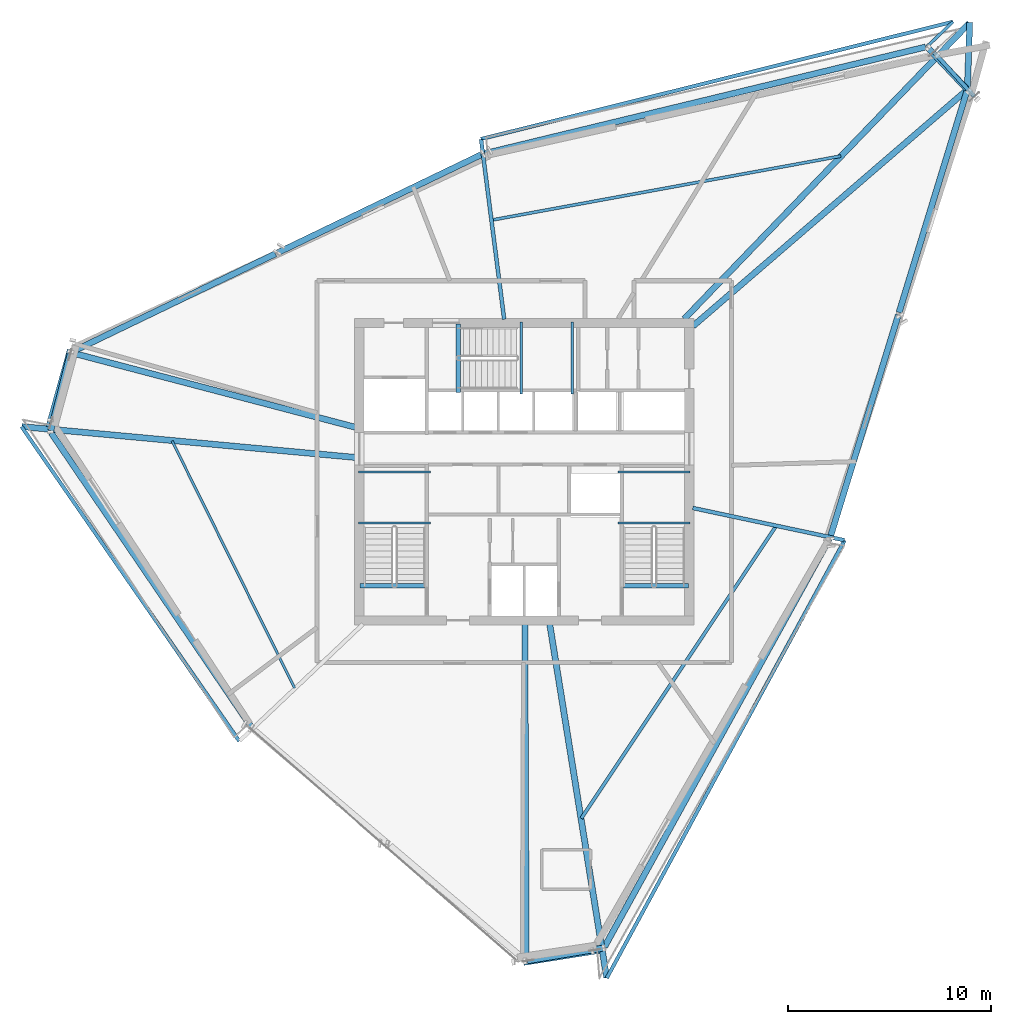
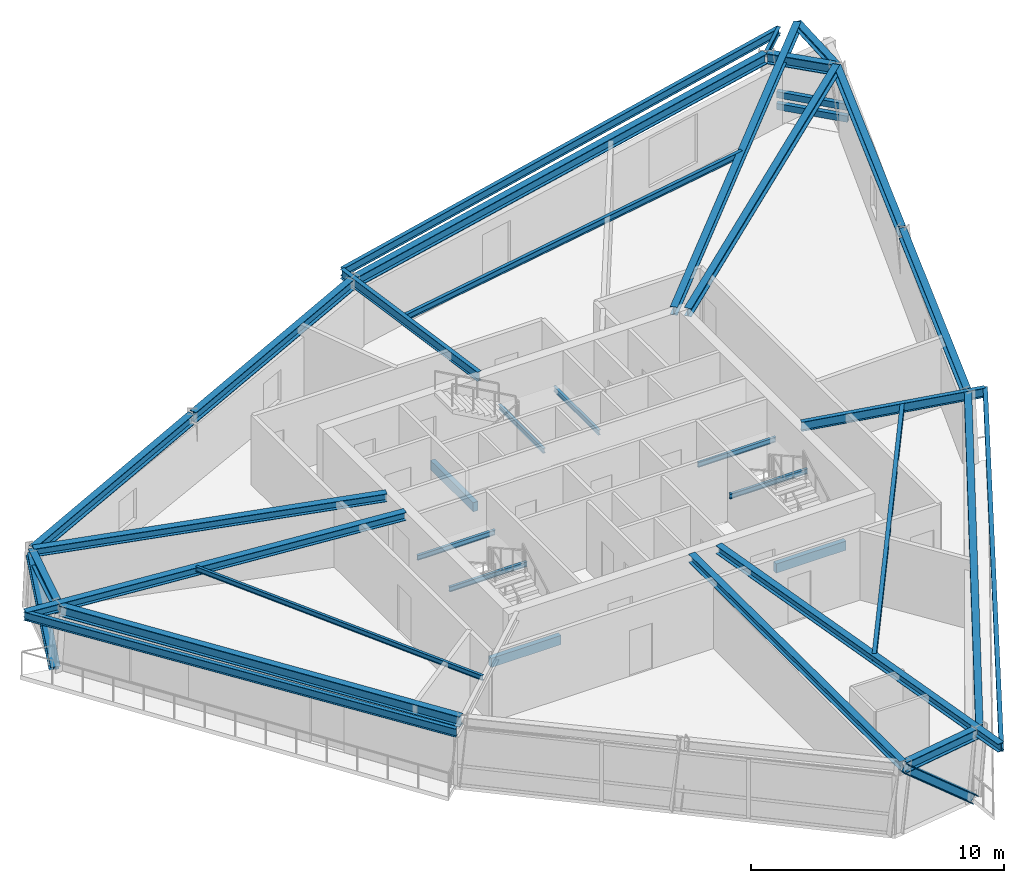
# One storey, part 4 of 13: 35 beams, 4 members.
"""IFC4 building model written with IfcOpenShell, lengths in metres."""

from ifc_helpers import new_model, si_unit, direction, frame, origin, origin_2d, place, context, subcontext, project, spatial, rectangle, hollow_rectangle, i_section, extrude, source, transform, mapped, material, material_profile, profile_set, type_object, element, save


model = new_model("IFC4")

# Units and contexts
model_context = context("Model", 3, precision=1e-05, world=origin(), true_north=direction((0.0, 1.0)))
body_context = subcontext(model_context, "Body", "Model", "MODEL_VIEW")
ifc_project = project(units=[si_unit("LENGTHUNIT", "METRE"), si_unit("AREAUNIT", "SQUARE_METRE"), si_unit("VOLUMEUNIT", "CUBIC_METRE"), si_unit("PLANEANGLEUNIT", "RADIAN"), si_unit("MASSUNIT", "GRAM", prefix="KILO")], contexts=[model_context])

# Site, building, storey
site_placement = place(None, origin())
site = spatial("IfcSite", under=ifc_project, at=site_placement, CompositionType="ELEMENT")
building_placement = place(site_placement, origin())
building = spatial("IfcBuilding", under=site, at=building_placement, Name="Olszyna Solenne Hotel", CompositionType="ELEMENT")
storey_placement = place(building_placement, frame((0.0, 0.0, 209.60009765625)))
storey = spatial("IfcBuildingStorey", under=building, at=storey_placement, Name="L55", CompositionType="ELEMENT", Elevation=209.60009765625)

# Beams
ifc_material_1 = material(Name="Steel S355J2", Category="steel")
ifc_material_profile_1 = material_profile(ifc_material_1, i_section(OverallWidth=0.300048828125, OverallDepth=0.5, WebThickness=0.014404296875, FlangeThickness=0.028076171875, at=origin_2d()), Name="HEB 500", Category="load-bearing")
ifc_profile_set_1 = profile_set([ifc_material_profile_1], Name="Steel S355J2")
beam_type_1 = type_object("IfcBeamType", Name="BM-S3", PredefinedType="BEAM", material=ifc_profile_set_1)
shared_shape_1 = source(origin(), body_context, "Body", "SweptSolid", [
    extrude(i_section(OverallWidth=0.300048828125, OverallDepth=0.5, WebThickness=0.014404296875, FlangeThickness=0.028076171875, at=origin_2d()), origin(), (0.0, 0.0, 1.0), 2.787841796875),
])
beam_1_placement = place(storey_placement, frame((59.779541015625, 45.451904296875, 3.079833984375), z_axis=(-0.686497518046, 0.72713214598, 0.0), x_axis=(-0.72713214598, -0.686497518046, 0.0)))
element("IfcBeam", 1, at=beam_1_placement, inside=storey, type_object=beam_type_1, Name="Perimeter spandrel beam BM-S3 B-L55-1621", PredefinedType="BEAM", context=body_context, shape_type="MappedRepresentation", body=[
    mapped(shared_shape_1, transform((0.0, 0.0, 0.0), x_axis=(1.0, 0.0, 0.0), y_axis=(0.0, 1.0, 0.0), z_axis=(0.0, 0.0, 1.0), scale=1.0)),
])
shared_shape_2 = source(origin(), body_context, "Body", "SweptSolid", [
    extrude(i_section(OverallWidth=0.300048828125, OverallDepth=0.5, WebThickness=0.014404296875, FlangeThickness=0.028076171875, at=origin_2d()), origin(), (0.0, 0.0, 1.0), 22.39111328125),
])
beam_2_placement = place(storey_placement, frame((57.76611328125, 47.508544921875, 3.079833984375), z_axis=(-0.972018712625, -0.234903431875, 0.0), x_axis=(0.234903431875, -0.972018712625, 0.0)))
element("IfcBeam", 2, at=beam_2_placement, inside=storey, type_object=beam_type_1, Name="Perimeter spandrel beam BM-S3 B-L55-1622", PredefinedType="BEAM", context=body_context, shape_type="MappedRepresentation", body=[
    mapped(shared_shape_2, transform((0.0, 0.0, 0.0), x_axis=(1.0, 0.0, 0.0), y_axis=(0.0, 1.0, 0.0), z_axis=(0.0, 0.0, 1.0), scale=1.0)),
])
shared_shape_3 = source(origin(), body_context, "Body", "SweptSolid", [
    extrude(i_section(OverallWidth=0.300048828125, OverallDepth=0.5, WebThickness=0.014404296875, FlangeThickness=0.028076171875, at=origin_2d()), origin(), (0.0, 0.0, 1.0), 11.135498046875),
])
for number, where, z_axis, x_axis, name in (
    (3, (35.88916015625, 42.208740234375, 3.079833984375), (-0.900916274217, -0.433992934102, 0.0), (0.433992934102, -0.900916274217, 0.0), "Perimeter spandrel beam BM-S3 B-L55-1623"),
    (4, (25.748779296875, 37.323974609375, 3.079833984375), (-0.90090357201, -0.434019301344, 0.0), (0.434019301344, -0.90090357201, 0.0), "Perimeter spandrel beam BM-S3 B-L55-1624"),
):
    element("IfcBeam", number, at=place(storey_placement, frame(where, z_axis=z_axis, x_axis=x_axis)), inside=storey, type_object=beam_type_1, Name=name, PredefinedType="BEAM", context=body_context, shape_type="MappedRepresentation", body=[
        mapped(shared_shape_3, transform((0.0, 0.0, 0.0), x_axis=(1.0, 0.0, 0.0), y_axis=(0.0, 1.0, 0.0), z_axis=(0.0, 0.0, 1.0), scale=1.0)),
    ])
shared_shape_4 = source(origin(), body_context, "Body", "SweptSolid", [
    extrude(i_section(OverallWidth=0.300048828125, OverallDepth=0.5, WebThickness=0.014404296875, FlangeThickness=0.028076171875, at=origin_2d()), origin(), (0.0, 0.0, 1.0), 3.909912109375),
])
beam_3_placement = place(storey_placement, frame((15.64794921875, 32.40673828125, 3.079833984375), z_axis=(-0.24526736501, -0.969455475853, 0.0), x_axis=(0.969455475853, -0.24526736501, 0.0)))
element("IfcBeam", 5, at=beam_3_placement, inside=storey, type_object=beam_type_1, Name="Perimeter spandrel beam BM-S3 B-L55-1625", PredefinedType="BEAM", context=body_context, shape_type="MappedRepresentation", body=[
    mapped(shared_shape_4, transform((0.0, 0.0, 0.0), x_axis=(1.0, 0.0, 0.0), y_axis=(0.0, 1.0, 0.0), z_axis=(0.0, 0.0, 1.0), scale=1.0)),
])
shared_shape_5 = source(origin(), body_context, "Body", "SweptSolid", [
    extrude(i_section(OverallWidth=0.300048828125, OverallDepth=0.5, WebThickness=0.014404296875, FlangeThickness=0.028076171875, at=origin_2d()), origin(), (0.0, 0.0, 1.0), 17.55810546875),
])
beam_4_placement = place(storey_placement, frame((14.7080078125, 28.508544921875, 3.079833984375), z_axis=(0.56230735912, -0.826928312419, 0.0), x_axis=(0.826928312419, 0.56230735912, 0.0)))
element("IfcBeam", 6, at=beam_4_placement, inside=storey, type_object=beam_type_1, Name="Perimeter spandrel beam BM-S3 B-L55-1626", PredefinedType="BEAM", context=body_context, shape_type="MappedRepresentation", body=[
    mapped(shared_shape_5, transform((0.0, 0.0, 0.0), x_axis=(1.0, 0.0, 0.0), y_axis=(0.0, 1.0, 0.0), z_axis=(0.0, 0.0, 1.0), scale=1.0)),
])
shared_shape_6 = source(origin(), body_context, "Body", "SweptSolid", [
    extrude(i_section(OverallWidth=0.300048828125, OverallDepth=0.5, WebThickness=0.014404296875, FlangeThickness=0.028076171875, at=origin_2d()), origin(), (0.0, 0.0, 1.0), 3.761962890625),
])
beam_5_placement = place(storey_placement, frame((38.15380859375, 2.512451171875, 3.079833984375), z_axis=(0.986277920218, 0.165093501055, 0.0), x_axis=(-0.165093501055, 0.986277920218, 0.0)))
element("IfcBeam", 7, at=beam_5_placement, inside=storey, type_object=beam_type_1, Name="Perimeter spandrel beam BM-S3 B-L55-1629", PredefinedType="BEAM", context=body_context, shape_type="MappedRepresentation", body=[
    mapped(shared_shape_6, transform((0.0, 0.0, 0.0), x_axis=(1.0, 0.0, 0.0), y_axis=(0.0, 1.0, 0.0), z_axis=(0.0, 0.0, 1.0), scale=1.0)),
])
shared_shape_7 = source(origin(), body_context, "Body", "SweptSolid", [
    extrude(i_section(OverallWidth=0.300048828125, OverallDepth=0.5, WebThickness=0.014404296875, FlangeThickness=0.028076171875, at=origin_2d()), origin(), (0.0, 0.0, 1.0), 22.9521484375),
])
beam_6_placement = place(storey_placement, frame((41.952392578125, 3.19580078125, 3.079833984375), z_axis=(0.482821715589, 0.875718671124, 0.0), x_axis=(-0.875718671124, 0.482821715589, 0.0)))
element("IfcBeam", 8, at=beam_6_placement, inside=storey, type_object=beam_type_1, Name="Perimeter spandrel beam BM-S3 B-L55-1630", PredefinedType="BEAM", context=body_context, shape_type="MappedRepresentation", body=[
    mapped(shared_shape_7, transform((0.0, 0.0, 0.0), x_axis=(1.0, 0.0, 0.0), y_axis=(0.0, 1.0, 0.0), z_axis=(0.0, 0.0, 1.0), scale=1.0)),
])
shared_shape_8 = source(origin(), body_context, "Body", "SweptSolid", [
    extrude(i_section(OverallWidth=0.300048828125, OverallDepth=0.5, WebThickness=0.014404296875, FlangeThickness=0.028076171875, at=origin_2d()), origin(), (0.0, 0.0, 1.0), 11.416015625),
])
beam_7_placement = place(storey_placement, frame((53.080810546875, 23.4052734375, 3.079833984375), z_axis=(0.292875881532, 0.956150468293, 0.0), x_axis=(-0.956150468293, 0.292875881532, 0.0)))
element("IfcBeam", 9, at=beam_7_placement, inside=storey, type_object=beam_type_1, Name="Perimeter spandrel beam BM-S3 B-L55-1631", PredefinedType="BEAM", context=body_context, shape_type="MappedRepresentation", body=[
    mapped(shared_shape_8, transform((0.0, 0.0, 0.0), x_axis=(1.0, 0.0, 0.0), y_axis=(0.0, 1.0, 0.0), z_axis=(0.0, 0.0, 1.0), scale=1.0)),
])
shared_shape_9 = source(origin(), body_context, "Body", "SweptSolid", [
    extrude(i_section(OverallWidth=0.300048828125, OverallDepth=0.5, WebThickness=0.014404296875, FlangeThickness=0.028076171875, at=origin_2d()), origin(), (0.0, 0.0, 1.0), 11.415771484375),
])
beam_8_placement = place(storey_placement, frame((56.459716796875, 34.435546875, 3.079833984375), z_axis=(0.292862318595, 0.956154622614, 0.0), x_axis=(-0.956154622614, 0.292862318595, 0.0)))
element("IfcBeam", 10, at=beam_8_placement, inside=storey, type_object=beam_type_1, Name="Perimeter spandrel beam BM-S3 B-L55-1632", PredefinedType="BEAM", context=body_context, shape_type="MappedRepresentation", body=[
    mapped(shared_shape_9, transform((0.0, 0.0, 0.0), x_axis=(1.0, 0.0, 0.0), y_axis=(0.0, 1.0, 0.0), z_axis=(0.0, 0.0, 1.0), scale=1.0)),
])
ifc_material_profile_2 = material_profile(ifc_material_1, i_section(OverallWidth=0.300048828125, OverallDepth=0.389892578125, WebThickness=0.010986328125, FlangeThickness=0.01904296875, at=origin_2d()), Name="HEA 400", Category="load-bearing")
ifc_profile_set_2 = profile_set([ifc_material_profile_2], Name="Steel S355J2")
beam_type_2 = type_object("IfcBeamType", Name="BM-G2", PredefinedType="BEAM", material=ifc_profile_set_2)
shared_shape_10 = source(origin(), body_context, "Body", "SweptSolid", [
    extrude(i_section(OverallWidth=0.300048828125, OverallDepth=0.389892578125, WebThickness=0.010986328125, FlangeThickness=0.01904296875, at=origin_2d()), origin(), (0.0, 0.0, 1.0), 17.774169921875),
])
beam_9_placement = place(storey_placement, frame((59.775390625, 45.368896484375, 3.135009765625), z_axis=(-0.757468752186, -0.652871418782, 0.0), x_axis=(0.652871418782, -0.757468752186, 0.0)))
element("IfcBeam", 11, at=beam_9_placement, inside=storey, type_object=beam_type_2, Name="Radial floor girder BM-G2 B-L55-1633", PredefinedType="BEAM", context=body_context, shape_type="MappedRepresentation", body=[
    mapped(shared_shape_10, transform((0.0, 0.0, 0.0), x_axis=(1.0, 0.0, 0.0), y_axis=(0.0, 1.0, 0.0), z_axis=(0.0, 0.0, 1.0), scale=1.0)),
])
shared_shape_11 = source(origin(), body_context, "Body", "SweptSolid", [
    extrude(i_section(OverallWidth=0.300048828125, OverallDepth=0.389892578125, WebThickness=0.010986328125, FlangeThickness=0.01904296875, at=origin_2d()), origin(), (0.0, 0.0, 1.0), 20.24365234375),
])
beam_10_placement = place(storey_placement, frame((59.923095703125, 48.694091796875, 3.135009765625), z_axis=(-0.693814559246, -0.720153703995, 0.0), x_axis=(0.720153703995, -0.693814559246, 0.0)))
element("IfcBeam", 12, at=beam_10_placement, inside=storey, type_object=beam_type_2, Name="Radial floor girder BM-G2 B-L55-1634", PredefinedType="BEAM", context=body_context, shape_type="MappedRepresentation", body=[
    mapped(shared_shape_11, transform((0.0, 0.0, 0.0), x_axis=(1.0, 0.0, 0.0), y_axis=(0.0, 1.0, 0.0), z_axis=(0.0, 0.0, 1.0), scale=1.0)),
])
ifc_material_profile_3 = material_profile(ifc_material_1, i_section(OverallWidth=0.18994140625, OverallDepth=0.449951171875, WebThickness=0.009521484375, FlangeThickness=0.0146484375, at=origin_2d()), Name="IPE 450", Category="load-bearing")
ifc_profile_set_3 = profile_set([ifc_material_profile_3], Name="Steel S355J2")
beam_type_3 = type_object("IfcBeamType", Name="BM-F4", PredefinedType="BEAM", material=ifc_profile_set_3)
shared_shape_12 = source(origin(), body_context, "Body", "SweptSolid", [
    extrude(i_section(OverallWidth=0.18994140625, OverallDepth=0.449951171875, WebThickness=0.009521484375, FlangeThickness=0.0146484375, at=origin_2d()), origin(), (0.0, 0.0, 1.0), 8.9306640625),
])
beam_11_placement = place(storey_placement, frame((35.8759765625, 42.958251953125, 3.10498046875), z_axis=(0.127338099934, -0.991859369218, 0.0), x_axis=(0.991859369218, 0.127338099934, 0.0)))
element("IfcBeam", 13, at=beam_11_placement, inside=storey, type_object=beam_type_3, Name="Radial floor girder BM-F4 B-L55-1635", PredefinedType="BEAM", context=body_context, shape_type="MappedRepresentation", body=[
    mapped(shared_shape_12, transform((0.0, 0.0, 0.0), x_axis=(1.0, 0.0, 0.0), y_axis=(0.0, 1.0, 0.0), z_axis=(0.0, 0.0, 1.0), scale=1.0)),
])
shared_shape_13 = source(origin(), body_context, "Body", "SweptSolid", [
    extrude(i_section(OverallWidth=0.300048828125, OverallDepth=0.389892578125, WebThickness=0.010986328125, FlangeThickness=0.01904296875, at=origin_2d()), origin(), (0.0, 0.0, 1.0), 14.451416015625),
])
beam_12_placement = place(storey_placement, frame((15.720703125, 32.44970703125, 3.135009765625), z_axis=(0.967218154924, -0.253946925136, 0.0), x_axis=(0.253946925136, 0.967218154924, 0.0)))
element("IfcBeam", 14, at=beam_12_placement, inside=storey, type_object=beam_type_2, Name="Radial floor girder BM-G2 B-L55-1636", PredefinedType="BEAM", context=body_context, shape_type="MappedRepresentation", body=[
    mapped(shared_shape_13, transform((0.0, 0.0, 0.0), x_axis=(1.0, 0.0, 0.0), y_axis=(0.0, 1.0, 0.0), z_axis=(0.0, 0.0, 1.0), scale=1.0)),
])
shared_shape_14 = source(origin(), body_context, "Body", "SweptSolid", [
    extrude(i_section(OverallWidth=0.300048828125, OverallDepth=0.389892578125, WebThickness=0.010986328125, FlangeThickness=0.01904296875, at=origin_2d()), origin(), (0.0, 0.0, 1.0), 16.504150390625),
])
beam_13_placement = place(storey_placement, frame((13.265380859375, 28.814208984375, 3.135009765625), z_axis=(0.995764908302, -0.091936104956, 0.0), x_axis=(0.091936104956, 0.995764908302, 0.0)))
element("IfcBeam", 15, at=beam_13_placement, inside=storey, type_object=beam_type_2, Name="Radial floor girder BM-G2 B-L55-1637", PredefinedType="BEAM", context=body_context, shape_type="MappedRepresentation", body=[
    mapped(shared_shape_14, transform((0.0, 0.0, 0.0), x_axis=(1.0, 0.0, 0.0), y_axis=(0.0, 1.0, 0.0), z_axis=(0.0, 0.0, 1.0), scale=1.0)),
])
shared_shape_15 = source(origin(), body_context, "Body", "SweptSolid", [
    extrude(i_section(OverallWidth=0.300048828125, OverallDepth=0.389892578125, WebThickness=0.010986328125, FlangeThickness=0.01904296875, at=origin_2d()), origin(), (0.0, 0.0, 1.0), 16.537841796875),
])
beam_14_placement = place(storey_placement, frame((38.094482421875, 2.5625, 3.135009765625), z_axis=(-0.003941626943, 0.999992231758, 0.0), x_axis=(-0.999992231758, -0.003941626943, 0.0)))
element("IfcBeam", 16, at=beam_14_placement, inside=storey, type_object=beam_type_2, Name="Radial floor girder BM-G2 B-L55-1639", PredefinedType="BEAM", context=body_context, shape_type="MappedRepresentation", body=[
    mapped(shared_shape_15, transform((0.0, 0.0, 0.0), x_axis=(1.0, 0.0, 0.0), y_axis=(0.0, 1.0, 0.0), z_axis=(0.0, 0.0, 1.0), scale=1.0)),
])
shared_shape_16 = source(origin(), body_context, "Body", "SweptSolid", [
    extrude(i_section(OverallWidth=0.300048828125, OverallDepth=0.389892578125, WebThickness=0.010986328125, FlangeThickness=0.01904296875, at=origin_2d()), origin(), (0.0, 0.0, 1.0), 17.647216796875),
])
beam_15_placement = place(storey_placement, frame((42.059814453125, 1.676513671875, 3.135009765625), z_axis=(-0.158958408562, 0.987285280123, 0.0), x_axis=(-0.987285280123, -0.158958408562, 0.0)))
element("IfcBeam", 17, at=beam_15_placement, inside=storey, type_object=beam_type_2, Name="Radial floor girder BM-G2 B-L55-1640", PredefinedType="BEAM", context=body_context, shape_type="MappedRepresentation", body=[
    mapped(shared_shape_16, transform((0.0, 0.0, 0.0), x_axis=(1.0, 0.0, 0.0), y_axis=(0.0, 1.0, 0.0), z_axis=(0.0, 0.0, 1.0), scale=1.0)),
])
shared_shape_17 = source(origin(), body_context, "Body", "SweptSolid", [
    extrude(i_section(OverallWidth=0.18994140625, OverallDepth=0.449951171875, WebThickness=0.009521484375, FlangeThickness=0.0146484375, at=origin_2d()), origin(), (0.0, 0.0, 1.0), 7.62353515625),
])
beam_16_placement = place(storey_placement, frame((53.758056640625, 23.22314453125, 3.10498046875), z_axis=(-0.978156246367, 0.207871012152, 0.0), x_axis=(-0.207871012152, -0.978156246367, 0.0)))
element("IfcBeam", 18, at=beam_16_placement, inside=storey, type_object=beam_type_3, Name="Radial floor girder BM-F4 B-L55-1641", PredefinedType="BEAM", context=body_context, shape_type="MappedRepresentation", body=[
    mapped(shared_shape_17, transform((0.0, 0.0, 0.0), x_axis=(1.0, 0.0, 0.0), y_axis=(0.0, 1.0, 0.0), z_axis=(0.0, 0.0, 1.0), scale=1.0)),
])
ifc_material_profile_4 = material_profile(ifc_material_1, i_section(OverallWidth=0.300048828125, OverallDepth=0.31005859375, WebThickness=0.009033203125, FlangeThickness=0.015380859375, at=origin_2d()), Name="HEA 320", Category="load-bearing")
ifc_profile_set_4 = profile_set([ifc_material_profile_4], Name="Steel S355J2")
beam_type_4 = type_object("IfcBeamType", Name="BM-G3", PredefinedType="BEAM", material=ifc_profile_set_4)
shared_shape_18 = source(origin(), body_context, "Body", "SweptSolid", [
    extrude(i_section(OverallWidth=0.300048828125, OverallDepth=0.31005859375, WebThickness=0.009033203125, FlangeThickness=0.015380859375, at=origin_2d()), origin(), (0.0, 0.0, 1.0), 3.30224609375),
])
beam_17_placement = place(storey_placement, frame((59.82080078125, 45.408203125, 3.1748046875), z_axis=(0.035190499803, 0.999380622548, 0.0), x_axis=(-0.999380622548, 0.035190499803, 0.0)))
element("IfcBeam", 19, at=beam_17_placement, inside=storey, type_object=beam_type_4, Name="Prism side edge beam BM-G3 B-L55-1642", PredefinedType="BEAM", context=body_context, shape_type="MappedRepresentation", body=[
    mapped(shared_shape_18, transform((0.0, 0.0, 0.0), x_axis=(1.0, 0.0, 0.0), y_axis=(0.0, 1.0, 0.0), z_axis=(0.0, 0.0, 1.0), scale=1.0)),
])
ifc_material_profile_5 = material_profile(ifc_material_1, i_section(OverallWidth=0.14990234375, OverallDepth=0.300048828125, WebThickness=0.007080078125, FlangeThickness=0.0107421875, at=origin_2d()), Name="IPE 300", Category="load-bearing")
ifc_profile_set_5 = profile_set([ifc_material_profile_5], Name="Steel S355J2")
beam_type_5 = type_object("IfcBeamType", Name="JS-02", PredefinedType="JOIST", material=ifc_profile_set_5)
shared_shape_19 = source(origin(), body_context, "Body", "SweptSolid", [
    extrude(i_section(OverallWidth=0.14990234375, OverallDepth=0.300048828125, WebThickness=0.007080078125, FlangeThickness=0.0107421875, at=origin_2d()), origin(), (0.0, 0.0, 1.0), 17.47119140625),
])
beam_18_placement = place(storey_placement, frame((53.590576171875, 42.137939453125, 3.179931640625), z_axis=(-0.983600277692, -0.180362118318, 0.0), x_axis=(0.180362118318, -0.983600277692, 0.0)))
element("IfcBeam", 20, at=beam_18_placement, inside=storey, type_object=beam_type_5, Name="Secondary composite floor joist JS-02 B-L55-1643", PredefinedType="JOIST", context=body_context, shape_type="MappedRepresentation", body=[
    mapped(shared_shape_19, transform((0.0, 0.0, 0.0), x_axis=(1.0, 0.0, 0.0), y_axis=(0.0, 1.0, 0.0), z_axis=(0.0, 0.0, 1.0), scale=1.0)),
])
ifc_material_profile_6 = material_profile(ifc_material_1, i_section(OverallWidth=0.1201171875, OverallDepth=0.239990234375, WebThickness=0.006103515625, FlangeThickness=0.009765625, at=origin_2d()), Name="IPE 240", Category="load-bearing")
ifc_profile_set_6 = profile_set([ifc_material_profile_6], Name="Steel S355J2")
beam_type_6 = type_object("IfcBeamType", Name="JS-03", PredefinedType="JOIST", material=ifc_profile_set_6)
shared_shape_20 = source(origin(), body_context, "Body", "SweptSolid", [
    extrude(i_section(OverallWidth=0.1201171875, OverallDepth=0.239990234375, WebThickness=0.006103515625, FlangeThickness=0.009765625, at=origin_2d()), origin(), (0.0, 0.0, 1.0), 13.59521484375),
])
beam_19_placement = place(storey_placement, frame((20.65869140625, 28.114501953125, 3.2099609375), z_axis=(0.444294865381, -0.895880612915, 0.0), x_axis=(0.895880612915, 0.444294865381, 0.0)))
element("IfcBeam", 21, at=beam_19_placement, inside=storey, type_object=beam_type_6, Name="Secondary composite floor joist JS-03 B-L55-1644", PredefinedType="JOIST", context=body_context, shape_type="MappedRepresentation", body=[
    mapped(shared_shape_20, transform((0.0, 0.0, 0.0), x_axis=(1.0, 0.0, 0.0), y_axis=(0.0, 1.0, 0.0), z_axis=(0.0, 0.0, 1.0), scale=1.0)),
])
ifc_material_profile_7 = material_profile(ifc_material_1, i_section(OverallWidth=0.169921875, OverallDepth=0.360107421875, WebThickness=0.008056640625, FlangeThickness=0.0126953125, at=origin_2d()), Name="IPE 360", Category="load-bearing")
ifc_profile_set_7 = profile_set([ifc_material_profile_7], Name="Steel S355J2")
beam_type_7 = type_object("IfcBeamType", Name="JS-01", PredefinedType="JOIST", material=ifc_profile_set_7)
shared_shape_21 = source(origin(), body_context, "Body", "SweptSolid", [
    extrude(i_section(OverallWidth=0.169921875, OverallDepth=0.360107421875, WebThickness=0.008056640625, FlangeThickness=0.0126953125, at=origin_2d()), origin(), (0.0, 0.0, 1.0), 17.2978515625),
])
beam_20_placement = place(storey_placement, frame((40.810302734375, 9.5224609375, 3.14990234375), z_axis=(0.554511271317, 0.8321762133, 0.0), x_axis=(-0.8321762133, 0.554511271317, 0.0)))
element("IfcBeam", 22, at=beam_20_placement, inside=storey, type_object=beam_type_7, Name="Secondary composite floor joist JS-01 B-L55-1645", PredefinedType="JOIST", context=body_context, shape_type="MappedRepresentation", body=[
    mapped(shared_shape_21, transform((0.0, 0.0, 0.0), x_axis=(1.0, 0.0, 0.0), y_axis=(0.0, 1.0, 0.0), z_axis=(0.0, 0.0, 1.0), scale=1.0)),
])
ifc_material_profile_8 = material_profile(ifc_material_1, i_section(OverallWidth=0.179931640625, OverallDepth=0.39990234375, WebThickness=0.008544921875, FlangeThickness=0.013427734375, at=origin_2d()), Name="IPE 400", Category="load-bearing")
ifc_profile_set_8 = profile_set([ifc_material_profile_8], Name="Steel S355J2")
beam_type_8 = type_object("IfcBeamType", Name="BM-F5", PredefinedType="BEAM", material=ifc_profile_set_8)
shared_shape_22 = source(origin(), body_context, "Body", "SweptSolid", [
    extrude(i_section(OverallWidth=0.179931640625, OverallDepth=0.39990234375, WebThickness=0.008544921875, FlangeThickness=0.013427734375, at=origin_2d()), origin(), (0.0, 0.0, 1.0), 23.946533203125),
])
beam_21_placement = place(storey_placement, frame((59.11376953125, 48.751220703125, 3.1298828125), z_axis=(-0.970503648422, -0.241086433463, 0.0), x_axis=(0.241086433463, -0.970503648422, 0.0)))
element("IfcBeam", 23, at=beam_21_placement, inside=storey, type_object=beam_type_8, Name="Loggia outer edge beam BM-F5 B-L55-1646", PredefinedType="BEAM", context=body_context, shape_type="MappedRepresentation", body=[
    mapped(shared_shape_22, transform((0.0, 0.0, 0.0), x_axis=(1.0, 0.0, 0.0), y_axis=(0.0, 1.0, 0.0), z_axis=(0.0, 0.0, 1.0), scale=1.0)),
])
shared_shape_23 = source(origin(), body_context, "Body", "SweptSolid", [
    extrude(i_section(OverallWidth=0.14990234375, OverallDepth=0.300048828125, WebThickness=0.007080078125, FlangeThickness=0.0107421875, at=origin_2d()), origin(), (0.0, 0.0, 1.0), 1.7607421875),
])
beam_22_placement = place(storey_placement, frame((57.839111328125, 47.536376953125, 3.179931640625), z_axis=(0.723887292587, 0.689918247063, 0.0), x_axis=(-0.689918247063, 0.723887292587, 0.0)))
element("IfcBeam", 24, at=beam_22_placement, inside=storey, type_object=beam_type_5, Name="Loggia side bracket JS-02 B-L55-1647", PredefinedType="JOIST", context=body_context, shape_type="MappedRepresentation", body=[
    mapped(shared_shape_23, transform((0.0, 0.0, 0.0), x_axis=(1.0, 0.0, 0.0), y_axis=(0.0, 1.0, 0.0), z_axis=(0.0, 0.0, 1.0), scale=1.0)),
])
shared_shape_24 = source(origin(), body_context, "Body", "SweptSolid", [
    extrude(i_section(OverallWidth=0.179931640625, OverallDepth=0.39990234375, WebThickness=0.008544921875, FlangeThickness=0.013427734375, at=origin_2d()), origin(), (0.0, 0.0, 1.0), 18.841064453125),
])
beam_23_placement = place(storey_placement, frame((13.245361328125, 28.816162109375, 3.1298828125), z_axis=(0.569213347872, -0.82218985922, 0.0), x_axis=(0.82218985922, 0.569213347872, 0.0)))
element("IfcBeam", 25, at=beam_23_placement, inside=storey, type_object=beam_type_8, Name="Loggia outer edge beam BM-F5 B-L55-1648", PredefinedType="BEAM", context=body_context, shape_type="MappedRepresentation", body=[
    mapped(shared_shape_24, transform((0.0, 0.0, 0.0), x_axis=(1.0, 0.0, 0.0), y_axis=(0.0, 1.0, 0.0), z_axis=(0.0, 0.0, 1.0), scale=1.0)),
])
shared_shape_25 = source(origin(), body_context, "Body", "SweptSolid", [
    extrude(i_section(OverallWidth=0.179931640625, OverallDepth=0.39990234375, WebThickness=0.008544921875, FlangeThickness=0.013427734375, at=origin_2d()), origin(), (0.0, 0.0, 1.0), 24.5390625),
])
beam_24_placement = place(storey_placement, frame((42.06298828125, 1.65673828125, 3.1298828125), z_axis=(0.47738692109, 0.878693193084, 0.0), x_axis=(-0.878693193084, 0.47738692109, 0.0)))
element("IfcBeam", 26, at=beam_24_placement, inside=storey, type_object=beam_type_8, Name="Loggia outer edge beam BM-F5 B-L55-1649", PredefinedType="BEAM", context=body_context, shape_type="MappedRepresentation", body=[
    mapped(shared_shape_25, transform((0.0, 0.0, 0.0), x_axis=(1.0, 0.0, 0.0), y_axis=(0.0, 1.0, 0.0), z_axis=(0.0, 0.0, 1.0), scale=1.0)),
])

# Members
ifc_material_profile_9 = material_profile(ifc_material_1, hollow_rectangle(XDim=0.199951171875, YDim=0.300048828125, WallThickness=0.01611328125, at=origin_2d()), Name="RHS 300x200x16", Category="load-bearing")
ifc_profile_set_9 = profile_set([ifc_material_profile_9], Name="Steel S355J2")
member_type_1 = type_object("IfcMemberType", Name="CH-PR1", PredefinedType="CHORD", material=ifc_profile_set_9)
shared_shape_26 = source(origin(), body_context, "Body", "SweptSolid", [
    extrude(hollow_rectangle(XDim=0.199951171875, YDim=0.300048828125, WallThickness=0.01611328125, at=origin_2d()), origin(), (0.0, 0.0, 1.0), 2.946044921875),
])
for number, where, z_axis, x_axis, name in (
    (27, (60.15869140625, 45.0791015625, 1.349853515625), (-0.674958752722, 0.737855461539, 0.0), (-0.737855461539, -0.674958752722, 0.0), "Glass-prism tie chord CH-PR1 M-L55-PR1"),
    (28, (60.15869140625, 45.0791015625, 0.77978515625), (-0.674958752722, 0.737855461539, 0.0), (-0.737855461539, -0.674958752722, 0.0), "Glass-prism tie chord CH-PR1 M-L55-PR2"),
):
    element("IfcMember", number, at=place(storey_placement, frame(where, z_axis=z_axis, x_axis=x_axis)), inside=storey, type_object=member_type_1, Name=name, PredefinedType="CHORD", context=body_context, shape_type="MappedRepresentation", body=[
        mapped(shared_shape_26, transform((0.0, 0.0, 0.0), x_axis=(1.0, 0.0, 0.0), y_axis=(0.0, 1.0, 0.0), z_axis=(0.0, 0.0, 1.0), scale=1.0)),
    ])
ifc_material_2 = material(Name="Steel S460M", Category="steel")
ifc_material_profile_10 = material_profile(ifc_material_2, i_section(OverallWidth=0.40087890625, OverallDepth=0.39892578125, WebThickness=0.02197265625, FlangeThickness=0.034423828125, at=origin_2d()), Name="HD 400x314", Category="load-bearing")
ifc_profile_set_10 = profile_set([ifc_material_profile_10], Name="Steel S460M")
member_type_2 = type_object("IfcMemberType", Name="BR-T3", PredefinedType="BRACE", material=ifc_profile_set_10)
shared_shape_27 = source(origin(), body_context, "Body", "SweptSolid", [
    extrude(i_section(OverallWidth=0.40087890625, OverallDepth=0.39892578125, WebThickness=0.02197265625, FlangeThickness=0.034423828125, at=origin_2d()), origin(), (0.0, 0.0, 1.0), 4.791015625),
])
member_1_placement = place(storey_placement, frame((14.668701171875, 28.902099609375, 0.010009765625), z_axis=(0.207448099001, 0.743674172641, 0.635542296915), x_axis=(-0.963226100411, 0.268692164915, 0.0)))
element("IfcMember", 29, at=member_1_placement, inside=storey, type_object=member_type_2, Name="Perimeter braced-tube diagonal BR-T3 BR-L55-2", PredefinedType="BRACE", context=body_context, shape_type="MappedRepresentation", body=[
    mapped(shared_shape_27, transform((0.0, 0.0, 0.0), x_axis=(1.0, 0.0, 0.0), y_axis=(0.0, 1.0, 0.0), z_axis=(0.0, 0.0, 1.0), scale=1.0)),
])
shared_shape_28 = source(origin(), body_context, "Body", "SweptSolid", [
    extrude(i_section(OverallWidth=0.40087890625, OverallDepth=0.39892578125, WebThickness=0.02197265625, FlangeThickness=0.034423828125, at=origin_2d()), origin(), (0.0, 0.0, 1.0), 4.66064453125),
])
member_2_placement = place(storey_placement, frame((41.57958984375, 3.0546875, 0.010009765625), z_axis=(-0.747763003028, -0.118437278448, 0.653316999914), x_axis=(0.156438657562, -0.987687676556, 0.0)))
element("IfcMember", 30, at=member_2_placement, inside=storey, type_object=member_type_2, Name="Perimeter braced-tube diagonal BR-T3 BR-L55-3", PredefinedType="BRACE", context=body_context, shape_type="MappedRepresentation", body=[
    mapped(shared_shape_28, transform((0.0, 0.0, 0.0), x_axis=(1.0, 0.0, 0.0), y_axis=(0.0, 1.0, 0.0), z_axis=(0.0, 0.0, 1.0), scale=1.0)),
])

# Beams
shared_shape_29 = source(origin(), body_context, "Body", "SweptSolid", [
    extrude(i_section(OverallWidth=0.1201171875, OverallDepth=0.239990234375, WebThickness=0.006103515625, FlangeThickness=0.009765625, at=origin_2d()), origin(), (0.0, 0.0, 1.0), 3.539794921875),
])
for number, where, z_axis, x_axis, name in (
    (31, (33.3798828125, 24.070068359375, 1.449951171875), (-1.0, 0.0, 0.0), (0.0, -1.0, 0.0), "Stair landing support beam JS-03 SLB-ST1-0115"),
    (32, (33.3798828125, 26.580078125, 1.449951171875), (-1.0, 0.0, 0.0), (0.0, -1.0, 0.0), "Stair landing support beam JS-03 SLB-ST1-0116"),
    (33, (46.159912109375, 24.070068359375, 1.449951171875), (-1.0, 0.0, 0.0), (0.0, -1.0, 0.0), "Stair landing support beam JS-03 SLB-ST2-0355"),
    (34, (46.159912109375, 26.580078125, 1.449951171875), (-1.0, 0.0, 0.0), (0.0, -1.0, 0.0), "Stair landing support beam JS-03 SLB-ST2-0356"),
):
    element("IfcBeam", number, at=place(storey_placement, frame(where, z_axis=z_axis, x_axis=x_axis)), inside=storey, type_object=beam_type_6, Name=name, PredefinedType="JOIST", context=body_context, shape_type="MappedRepresentation", body=[
        mapped(shared_shape_29, transform((0.0, 0.0, 0.0), x_axis=(1.0, 0.0, 0.0), y_axis=(0.0, 1.0, 0.0), z_axis=(0.0, 0.0, 1.0), scale=1.0)),
    ])
ifc_material_3 = material(Name="Concrete C50/60", Category="concrete")
ifc_material_profile_11 = material_profile(ifc_material_3, rectangle(XDim=0.219970703125, YDim=0.43994140625, at=origin_2d()), Name="RC 220x440", Category="load-bearing")
ifc_profile_set_11 = profile_set([ifc_material_profile_11], Name="Concrete C50/60")
beam_type_9 = type_object("IfcBeamType", Name="BM-ST1", PredefinedType="BEAM", material=ifc_profile_set_11)
shared_shape_30 = source(origin(), body_context, "Body", "SweptSolid", [
    extrude(rectangle(XDim=0.219970703125, YDim=0.43994140625, at=origin_2d()), origin(), (0.0, 0.0, 1.0), 3.18017578125),
])
for number, where, z_axis, x_axis, name in (
    (35, (33.10009765625, 20.97998046875, -0.205078125), (-1.0, 0.0, 0.0), (0.0, -1.0, 0.0), "Concrete stair trimmer beam BM-ST1 SHB-ST1-0217"),
    (36, (46.080078125, 20.97998046875, -0.205078125), (-1.0, 0.0, 0.0), (0.0, -1.0, 0.0), "Concrete stair trimmer beam BM-ST1 SHB-ST2-0457"),
):
    element("IfcBeam", number, at=place(storey_placement, frame(where, z_axis=z_axis, x_axis=x_axis)), inside=storey, type_object=beam_type_9, Name=name, PredefinedType="BEAM", context=body_context, shape_type="MappedRepresentation", body=[
        mapped(shared_shape_30, transform((0.0, 0.0, 0.0), x_axis=(1.0, 0.0, 0.0), y_axis=(0.0, 1.0, 0.0), z_axis=(0.0, 0.0, 1.0), scale=1.0)),
    ])
shared_shape_31 = source(origin(), body_context, "Body", "SweptSolid", [
    extrude(i_section(OverallWidth=0.1201171875, OverallDepth=0.239990234375, WebThickness=0.006103515625, FlangeThickness=0.009765625, at=origin_2d()), origin(), (0.0, 0.0, 1.0), 3.5400390625),
])
for number, where, z_axis, x_axis, name in (
    (37, (37.85009765625, 30.419921875, 1.449951171875), (0.0, 1.0, 0.0), (-1.0, 0.0, 0.0), "Stair landing support beam JS-03 SLB-ST3-0595"),
    (38, (40.360107421875, 30.419921875, 1.449951171875), (0.0, 1.0, 0.0), (-1.0, 0.0, 0.0), "Stair landing support beam JS-03 SLB-ST3-0596"),
):
    element("IfcBeam", number, at=place(storey_placement, frame(where, z_axis=z_axis, x_axis=x_axis)), inside=storey, type_object=beam_type_6, Name=name, PredefinedType="JOIST", context=body_context, shape_type="MappedRepresentation", body=[
        mapped(shared_shape_31, transform((0.0, 0.0, 0.0), x_axis=(1.0, 0.0, 0.0), y_axis=(0.0, 1.0, 0.0), z_axis=(0.0, 0.0, 1.0), scale=1.0)),
    ])
shared_shape_32 = source(origin(), body_context, "Body", "SweptSolid", [
    extrude(rectangle(XDim=0.219970703125, YDim=0.43994140625, at=origin_2d()), origin(), (0.0, 0.0, 1.0), 3.3798828125),
])
beam_25_placement = place(storey_placement, frame((34.760009765625, 30.5, -0.205078125), z_axis=(0.0, 1.0, 0.0), x_axis=(-1.0, 0.0, 0.0)))
element("IfcBeam", 39, at=beam_25_placement, inside=storey, type_object=beam_type_9, Name="Concrete stair trimmer beam BM-ST1 SHB-ST3-0695", PredefinedType="BEAM", context=body_context, shape_type="MappedRepresentation", body=[
    mapped(shared_shape_32, transform((0.0, 0.0, 0.0), x_axis=(1.0, 0.0, 0.0), y_axis=(0.0, 1.0, 0.0), z_axis=(0.0, 0.0, 1.0), scale=1.0)),
])

save(model, "model.ifc")
